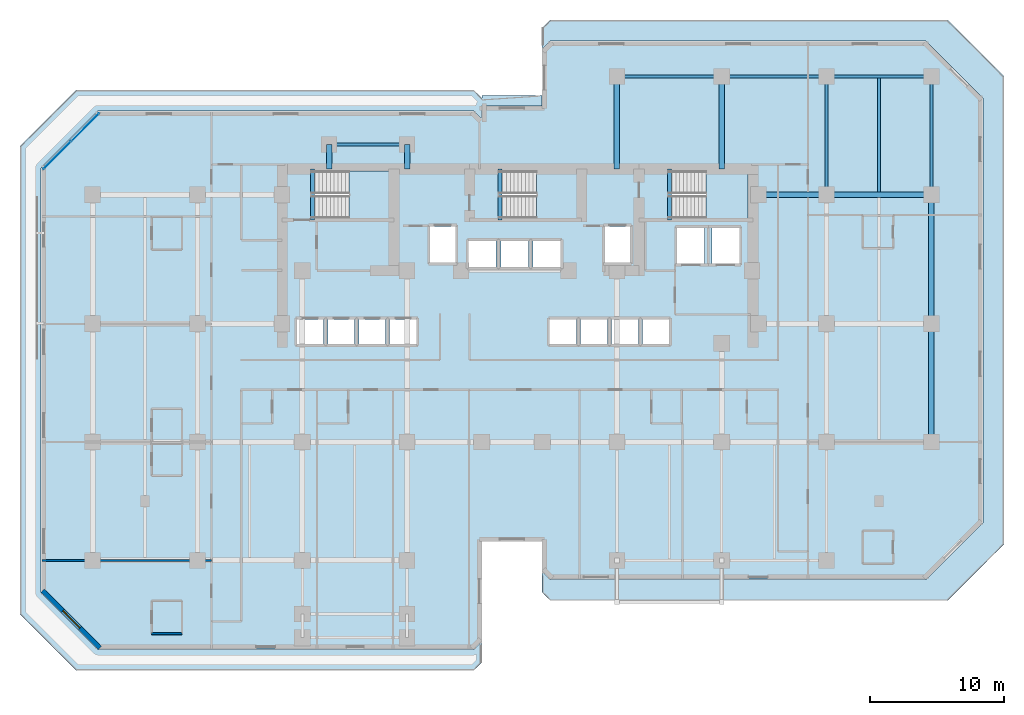
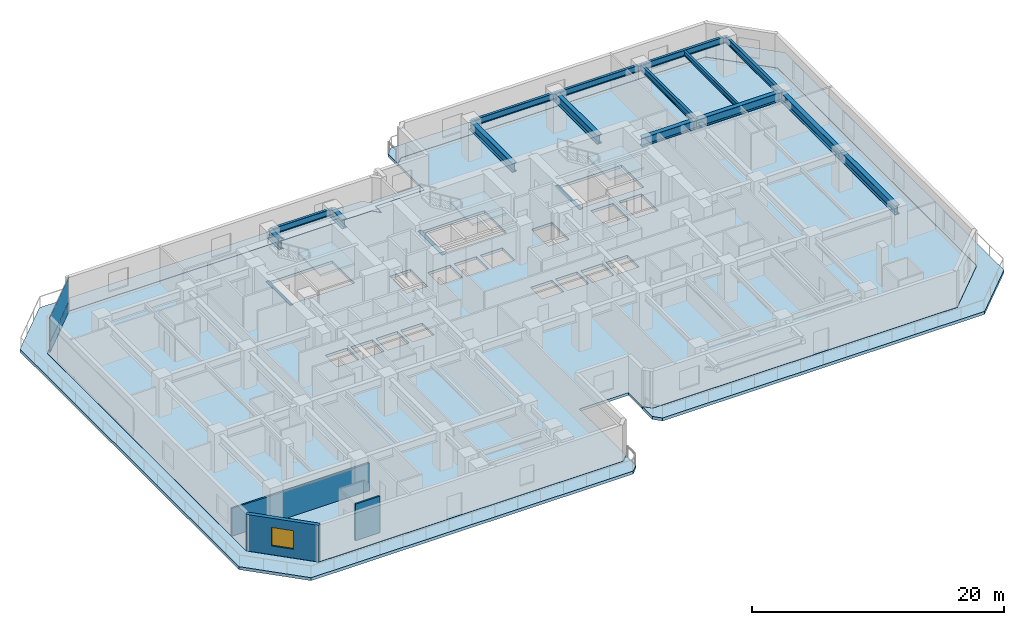
# One storey, part 5 of 12: 18 beams, 6 slabs, 4 plates, 3 walls, 1 window, 1 opening, 4 elements without a shape of their own.
"""IFC4 building model written with IfcOpenShell, lengths in metres."""

import ifcopenshell
import ifcopenshell.guid

model = None  # the IFC model being written
_history = None  # IfcOwnerHistory: only IFC2X3 demands one
_inside = {}  # id of a spatial element -> (the spatial element, [elements in it])
_under = {}  # id of a project, library or spatial element -> (it, [spatial elements below it])
_declared = {}  # id of a project -> (the project, [libraries it declares])
_typed = {}  # id of a type object -> (the type object, [elements of that type])
_made_of = {}  # id of a material, layer set ... -> (it, [elements and type objects made of it])


def new_model(schema):
    """Start an empty IFC model of exactly this schema.

    Asked for "IFC4X3", IfcOpenShell would pick the latest addendum, in which some entities
    have other attributes; the version numbers below select the first issue.
    IFC2X3 requires an IfcOwnerHistory on every rooted entity: one is made here for all.
    """
    global model, _history
    if schema == "IFC4X3":
        model = ifcopenshell.file(schema_version=(4, 3, 0, 0))
    else:
        model = ifcopenshell.file(schema=schema)
    _inside.clear()
    _under.clear()
    _declared.clear()
    _typed.clear()
    _made_of.clear()
    _history = None
    if model.schema == "IFC2X3":
        org = make("IfcOrganization", Name="unknown")
        user = make(
            "IfcPersonAndOrganization",
            ThePerson=make("IfcPerson", FamilyName="unknown"),
            TheOrganization=org,
        )
        app = make(
            "IfcApplication",
            ApplicationDeveloper=org,
            Version="unknown",
            ApplicationFullName="unknown",
            ApplicationIdentifier="unknown",
        )
        _history = make(
            "IfcOwnerHistory",
            OwningUser=user,
            OwningApplication=app,
            ChangeAction="ADDED",
            CreationDate=0,
        )
    return model


def make(cls, **values):
    """One entity of the class cls with the attributes given. An attribute that is None is left unset."""
    return model.create_entity(
        cls, **{name: value for name, value in values.items() if value is not None}
    )


def rooted(cls, **values):
    """An entity with a GlobalId (a new one), such as an element, a storey or a relation."""
    return make(cls, GlobalId=ifcopenshell.guid.new(), OwnerHistory=_history, **values)


def si_unit(unit_type, name, prefix=None):
    """IfcSIUnit, for example si_unit("LENGTHUNIT", "METRE", prefix="MILLI")."""
    return make("IfcSIUnit", UnitType=unit_type, Prefix=prefix, Name=name)


def assignment(units):
    """IfcUnitAssignment: the units of a project."""
    return None if units is None else make("IfcUnitAssignment", Units=units)


def point(xyz):
    """IfcCartesianPoint."""
    return None if xyz is None else make("IfcCartesianPoint", Coordinates=xyz)


def direction(xyz):
    """IfcDirection."""
    return None if xyz is None else make("IfcDirection", DirectionRatios=xyz)


def frame(location, z_axis=None, x_axis=None):
    """IfcAxis2Placement3D, a coordinate frame: its origin and axes. An axis left out is left unset."""
    return make(
        "IfcAxis2Placement3D",
        Location=point(location),
        Axis=direction(z_axis),
        RefDirection=direction(x_axis),
    )


def frame_2d(location, x_axis=None):
    """IfcAxis2Placement2D, a coordinate frame in the plane: its origin and x axis."""
    return make(
        "IfcAxis2Placement2D", Location=point(location), RefDirection=direction(x_axis)
    )


def origin():
    """The frame at (0, 0, 0) with its axes left unset."""
    return frame((0.0, 0.0, 0.0))


def origin_2d():
    """The frame at (0, 0) in the plane with its x axis left unset."""
    return frame_2d((0.0, 0.0))


def place(relative_to, where):
    """IfcLocalPlacement: puts the frame where relative to a parent placement (None: the world)."""
    return make(
        "IfcLocalPlacement", PlacementRelTo=relative_to, RelativePlacement=where
    )


def context(
    kind, dimensions, precision=None, world=None, true_north=None, identifier=None
):
    """IfcGeometricRepresentationContext, for example the 3D "Model" context."""
    return make(
        "IfcGeometricRepresentationContext",
        ContextIdentifier=identifier,
        ContextType=kind,
        CoordinateSpaceDimension=dimensions,
        Precision=precision,
        WorldCoordinateSystem=world,
        TrueNorth=true_north,
    )


def subcontext(parent, identifier, kind, view, scale=None):
    """IfcGeometricRepresentationSubContext, for example "Body" below "Model"."""
    return make(
        "IfcGeometricRepresentationSubContext",
        ContextIdentifier=identifier,
        ContextType=kind,
        ParentContext=parent,
        TargetScale=scale,
        TargetView=view,
    )


def project(units=None, contexts=None):
    """IfcProject with its units and contexts."""
    return rooted(
        "IfcProject",
        Name="project",
        RepresentationContexts=contexts,
        UnitsInContext=assignment(units),
    )


def spatial(cls, under=None, at=None, **own):
    """A site, building, storey or space (cls), placed at a placement, below another one or the project."""
    s = rooted(cls, ObjectPlacement=at, **own)
    if under is not None:
        _under.setdefault(under.id(), (under, []))[1].append(s)
    return s


def polyline(points):
    """IfcPolyline through the points."""
    return make("IfcPolyline", Points=[point(p) for p in points])


def profile(cls, at=None, kind="AREA", **sizes):
    """A parametric profile (cls). Its sizes go by their IFC names, for example OverallWidth=200.0."""
    return make(cls, ProfileType=kind, Position=at, **sizes)


def rectangle(**sizes):
    """IfcRectangleProfileDef."""
    return profile("IfcRectangleProfileDef", **sizes)


def i_section(**sizes):
    """IfcIShapeProfileDef."""
    return profile("IfcIShapeProfileDef", **sizes)


def outline(outer, holes=None, kind="AREA"):
    """IfcArbitraryClosedProfileDef: a profile drawn as a closed curve; with holes, ...WithVoids."""
    if holes is None:
        return make("IfcArbitraryClosedProfileDef", ProfileType=kind, OuterCurve=outer)
    return make(
        "IfcArbitraryProfileDefWithVoids",
        ProfileType=kind,
        OuterCurve=outer,
        InnerCurves=holes,
    )


def extrude(swept, where, along, depth):
    """IfcExtrudedAreaSolid: the profile swept, set in the frame where, extruded along a direction by depth."""
    return make(
        "IfcExtrudedAreaSolid",
        SweptArea=swept,
        Position=where,
        ExtrudedDirection=direction(along),
        Depth=depth,
    )


def shape(context_of_items, identifier, shape_type, items):
    """IfcShapeRepresentation: the items that make up one representation, for example the "Body"."""
    return make(
        "IfcShapeRepresentation",
        ContextOfItems=context_of_items,
        RepresentationIdentifier=identifier,
        RepresentationType=shape_type,
        Items=items,
    )


def material(Name=None, Category=None):
    """IfcMaterial."""
    return make("IfcMaterial", Name=Name, Category=Category)


def layer(
    of_material, thickness, ventilated=None, Name=None, Category=None, Priority=None
):
    """IfcMaterialLayer: one layer of a wall or slab, of a material (None: an air gap)."""
    return make(
        "IfcMaterialLayer",
        Material=of_material,
        LayerThickness=thickness,
        IsVentilated=ventilated,
        Name=Name,
        Category=Category,
        Priority=Priority,
    )


def layer_set(layers, Name=None):
    """IfcMaterialLayerSet."""
    return make("IfcMaterialLayerSet", MaterialLayers=layers, LayerSetName=Name)


def material_profile(
    of_material, cross_section, Name=None, Category=None, Priority=None
):
    """IfcMaterialProfile: a cross section and its material."""
    return make(
        "IfcMaterialProfile",
        Name=Name,
        Material=of_material,
        Profile=cross_section,
        Priority=Priority,
        Category=Category,
    )


def profile_set(profiles, Name=None, composite=None):
    """IfcMaterialProfileSet."""
    return make(
        "IfcMaterialProfileSet",
        Name=Name,
        MaterialProfiles=profiles,
        CompositeProfile=composite,
    )


def made_of(thing, what):
    """Note that an element or type object is made of a material, layer set ...; save() writes the relation."""
    if what is not None:
        _made_of.setdefault(what.id(), (what, []))[1].append(thing)
    return thing


def type_object(cls, material=None, **own):
    """A type object (cls), such as IfcWallType, which elements share."""
    return made_of(rooted(cls, **own), material)


def element(
    cls,
    number,
    at=None,
    inside=None,
    cuts=None,
    type_object=None,
    material=None,
    context=None,
    identifier="Body",
    shape_type=None,
    held_by="IfcProductDefinitionShape",
    body=None,
    shapes=None,
    **own,
):
    """One element of the class cls, such as IfcWall. Its Tag is "e" and its number.

    at: its placement. inside: the storey or other place that contains it. cuts: it is an
    opening in that element (IfcRelVoidsElement). A single representation is given by context,
    identifier, shape_type and body (its items); several are given by shapes. held_by: the class
    of the entity that holds the representations. save() writes the other relations.
    """
    e = rooted(cls, Tag="e%d" % number, ObjectPlacement=at, **own)
    if body is not None:
        shapes = [shape(context, identifier, shape_type, body)]
    if shapes is not None:
        e.Representation = make(held_by, Representations=shapes)
    if inside is not None:
        _inside.setdefault(inside.id(), (inside, []))[1].append(e)
    if cuts is not None:
        rooted(
            "IfcRelVoidsElement", RelatingBuildingElement=cuts, RelatedOpeningElement=e
        )
    if type_object is not None:
        _typed.setdefault(type_object.id(), (type_object, []))[1].append(e)
    return made_of(e, material)


def fill(opening, filler):
    """IfcRelFillsElement: the door or window that sits in an opening."""
    return rooted(
        "IfcRelFillsElement",
        RelatingOpeningElement=opening,
        RelatedBuildingElement=filler,
    )


def aggregate(whole, parts):
    """IfcRelAggregates: a whole, such as a stair, and the parts it consists of."""
    return rooted("IfcRelAggregates", RelatingObject=whole, RelatedObjects=parts)


def save(model, path):
    """Write the relations noted so far, then the file.

    IfcRelAggregates (storeys below a building ...), IfcRelContainedInSpatialStructure (elements
    in a storey), IfcRelDefinesByType, IfcRelAssociatesMaterial and IfcRelDeclares: one each for
    every whole, place, type object, material and project.
    """
    for whole, parts in _under.values():
        aggregate(whole, parts)
    for where, things in _inside.values():
        rooted(
            "IfcRelContainedInSpatialStructure",
            RelatedElements=things,
            RelatingStructure=where,
        )
    for kind, things in _typed.values():
        rooted("IfcRelDefinesByType", RelatedObjects=things, RelatingType=kind)
    for what, things in _made_of.values():
        rooted("IfcRelAssociatesMaterial", RelatedObjects=things, RelatingMaterial=what)
    for by, libraries in _declared.values():
        rooted("IfcRelDeclares", RelatingContext=by, RelatedDefinitions=libraries)
    model.write(path)


model = new_model("IFC4")

# Units and contexts
model_context = context("Model", 3, precision=1e-05, world=origin(), true_north=direction((0.0, 1.0)))
body_context = subcontext(model_context, "Body", "Model", "MODEL_VIEW")
ifc_project = project(units=[si_unit("LENGTHUNIT", "METRE"), si_unit("AREAUNIT", "SQUARE_METRE"), si_unit("VOLUMEUNIT", "CUBIC_METRE"), si_unit("PLANEANGLEUNIT", "RADIAN"), si_unit("MASSUNIT", "GRAM", prefix="KILO")], contexts=[model_context])

# Site, building, storey
site_placement = place(None, origin())
site = spatial("IfcSite", under=ifc_project, at=site_placement, CompositionType="ELEMENT")
building_placement = place(site_placement, origin())
building = spatial("IfcBuilding", under=site, at=building_placement, Name="Kestravale Grand Hotel", CompositionType="ELEMENT")
storey_placement = place(building_placement, frame((0.0, 0.0, 80.39990234375)))
storey = spatial("IfcBuildingStorey", under=building, at=storey_placement, Name="L19", CompositionType="ELEMENT", Elevation=80.39990234375)

# Beams
ifc_material_1 = material(Name="Steel ASTM A992 Grade 50", Category="steel")
ifc_material_profile_1 = material_profile(ifc_material_1, i_section(OverallWidth=0.19091796875, OverallDepth=0.45703125, WebThickness=0.009033203125, FlangeThickness=0.014404296875, FilletRadius=0.015380859375, at=origin_2d()))
ifc_profile_set_1 = profile_set([ifc_material_profile_1], Name="Steel ASTM A992 Grade 50")
beam_type_1 = type_object("IfcBeamType", Name="B-FLR-JST18", PredefinedType="JOIST", material=ifc_profile_set_1)
beam_1_placement = place(storey_placement, frame((66.300048828125, 38.6005859375, 3.3115234375), z_axis=(0.0, 1.0, 0.0), x_axis=(-1.0, 0.0, 0.0)))
element("IfcBeam", 1, at=beam_1_placement, inside=storey, type_object=beam_type_1, Name="L19 floor joist 10-11/F-G #1", PredefinedType="JOIST", context=body_context, shape_type="SweptSolid", body=[
    extrude(i_section(OverallWidth=0.19091796875, OverallDepth=0.45703125, WebThickness=0.009033203125, FlangeThickness=0.014404296875, FilletRadius=0.015380859375, at=origin_2d()), origin(), (0.0, 0.0, 1.0), 8.48486328125),
])
ifc_material_2 = material(Name="Concrete f'c 45 MPa", Category="concrete")
ifc_material_profile_2 = material_profile(ifc_material_2, rectangle(XDim=0.300048828125, YDim=0.39990234375, at=origin_2d()))
ifc_profile_set_2 = profile_set([ifc_material_profile_2], Name="Concrete f'c 45 MPa")
beam_type_2 = type_object("IfcBeamType", Name="B-FLR-LNT400", PredefinedType="LINTEL", material=ifc_profile_set_2)
for number, where, z_axis, x_axis, name in (
    (2, (24.159912109375, 36.52001953125, -0.199951171875), (0.0, 1.0, 0.0), (-1.0, 0.0, 0.0), "L19 ST1 flight bottom header beam"),
    (3, (38.110107421875, 36.52001953125, -0.199951171875), (0.0, 1.0, 0.0), (-1.0, 0.0, 0.0), "L19 ST2 flight bottom header beam"),
    (4, (50.7099609375, 36.52001953125, -0.199951171875), (0.0, 1.0, 0.0), (-1.0, 0.0, 0.0), "L19 ST3 flight bottom header beam"),
):
    element("IfcBeam", number, at=place(storey_placement, frame(where, z_axis=z_axis, x_axis=x_axis)), inside=storey, type_object=beam_type_2, Name=name, PredefinedType="LINTEL", context=body_context, shape_type="SweptSolid", body=[
        extrude(rectangle(XDim=0.300048828125, YDim=0.39990234375, at=origin_2d()), origin(), (0.0, 0.0, 1.0), 3.800048828125),
    ])
ifc_material_3 = material(Name="Steel ASTM A992 Grade 50", Category="steel")
ifc_material_profile_3 = material_profile(ifc_material_3, i_section(OverallWidth=0.22900390625, OverallDepth=0.612060546875, WebThickness=0.011962890625, FlangeThickness=0.01953125, FilletRadius=0.019287109375, at=origin_2d()))
ifc_profile_set_3 = profile_set([ifc_material_profile_3], Name="Steel ASTM A992 Grade 50")
beam_type_3 = type_object("IfcBeamType", Name="B-FLR-W24B", PredefinedType="SPANDREL", material=ifc_profile_set_3)
beam_2_placement = place(storey_placement, frame((46.800048828125, 47.199951171875, 3.234130859375), z_axis=(1.0, 0.0, 0.0), x_axis=(0.0, 1.0, 0.0)))
element("IfcBeam", 5, at=beam_2_placement, inside=storey, type_object=beam_type_3, Name="L19 spandrel G:8-9", PredefinedType="SPANDREL", context=body_context, shape_type="SweptSolid", body=[
    extrude(i_section(OverallWidth=0.22900390625, OverallDepth=0.612060546875, WebThickness=0.011962890625, FlangeThickness=0.01953125, FilletRadius=0.019287109375, at=origin_2d()), origin(), (0.0, 0.0, 1.0), 7.800048828125),
])
beam_3_placement = place(storey_placement, frame((54.60009765625, 47.199951171875, 3.234130859375), z_axis=(1.0, 0.0, 0.0), x_axis=(0.0, 1.0, 0.0)))
element("IfcBeam", 6, at=beam_3_placement, inside=storey, type_object=beam_type_3, Name="L19 spandrel G:9-10", PredefinedType="SPANDREL", context=body_context, shape_type="SweptSolid", body=[
    extrude(i_section(OverallWidth=0.22900390625, OverallDepth=0.612060546875, WebThickness=0.011962890625, FlangeThickness=0.01953125, FilletRadius=0.019287109375, at=origin_2d()), origin(), (0.0, 0.0, 1.0), 7.7998046875),
])
beam_4_placement = place(storey_placement, frame((62.39990234375, 47.199951171875, 3.234130859375), z_axis=(1.0, 0.0, 0.0), x_axis=(0.0, 1.0, 0.0)))
element("IfcBeam", 7, at=beam_4_placement, inside=storey, type_object=beam_type_3, Name="L19 spandrel G:10-11", PredefinedType="SPANDREL", context=body_context, shape_type="SweptSolid", body=[
    extrude(i_section(OverallWidth=0.22900390625, OverallDepth=0.612060546875, WebThickness=0.011962890625, FlangeThickness=0.01953125, FilletRadius=0.019287109375, at=origin_2d()), origin(), (0.0, 0.0, 1.0), 7.800048828125),
])
beam_5_placement = place(storey_placement, frame((25.39990234375, 42.14990234375, 3.234130859375), z_axis=(1.0, 0.0, 0.0), x_axis=(0.0, 1.0, 0.0)))
element("IfcBeam", 8, at=beam_5_placement, inside=storey, type_object=beam_type_3, Name="L19 perimeter tie spandrel FN:4-5", PredefinedType="SPANDREL", context=body_context, shape_type="SweptSolid", body=[
    extrude(i_section(OverallWidth=0.22900390625, OverallDepth=0.612060546875, WebThickness=0.011962890625, FlangeThickness=0.01953125, FilletRadius=0.019287109375, at=origin_2d()), origin(), (0.0, 0.0, 1.0), 5.800048828125),
])
for number, where, z_axis, x_axis, name in (
    (9, (62.39990234375, 38.39990234375, 3.234130859375), (0.0, 1.0, 0.0), (-1.0, 0.0, 0.0), "L19 spandrel 10:F-G"),
    (10, (70.199951171875, 38.39990234375, 3.234130859375), (0.0, 1.0, 0.0), (-1.0, 0.0, 0.0), "L19 spandrel 11:F-G"),
):
    element("IfcBeam", number, at=place(storey_placement, frame(where, z_axis=z_axis, x_axis=x_axis)), inside=storey, type_object=beam_type_3, Name=name, PredefinedType="SPANDREL", context=body_context, shape_type="SweptSolid", body=[
        extrude(i_section(OverallWidth=0.22900390625, OverallDepth=0.612060546875, WebThickness=0.011962890625, FlangeThickness=0.01953125, FilletRadius=0.019287109375, at=origin_2d()), origin(), (0.0, 0.0, 1.0), 8.800048828125),
    ])
ifc_material_4 = material(Name="Steel ASTM A992 Grade 50", Category="steel")
ifc_material_profile_4 = material_profile(ifc_material_4, i_section(OverallWidth=0.40087890625, OverallDepth=0.861083984375, WebThickness=0.019775390625, FlangeThickness=0.032470703125, FilletRadius=0.0234375, at=origin_2d()))
ifc_profile_set_4 = profile_set([ifc_material_profile_4], Name="Steel ASTM A992 Grade 50")
beam_type_4 = type_object("IfcBeamType", Name="B-GRD-W33", PredefinedType="BEAM", material=ifc_profile_set_4)
beam_6_placement = place(storey_placement, frame((57.35009765625, 38.39990234375, 3.109619140625), z_axis=(1.0, 0.0, 0.0), x_axis=(0.0, 1.0, 0.0)))
element("IfcBeam", 11, at=beam_6_placement, inside=storey, type_object=beam_type_4, Name="L19 girder F:CE-10", PredefinedType="BEAM", context=body_context, shape_type="SweptSolid", body=[
    extrude(i_section(OverallWidth=0.40087890625, OverallDepth=0.861083984375, WebThickness=0.019775390625, FlangeThickness=0.032470703125, FilletRadius=0.0234375, at=origin_2d()), origin(), (0.0, 0.0, 1.0), 5.0498046875),
])
beam_7_placement = place(storey_placement, frame((62.39990234375, 38.39990234375, 3.109619140625), z_axis=(1.0, 0.0, 0.0), x_axis=(0.0, 1.0, 0.0)))
element("IfcBeam", 12, at=beam_7_placement, inside=storey, type_object=beam_type_4, Name="L19 girder F:10-11", PredefinedType="BEAM", context=body_context, shape_type="SweptSolid", body=[
    extrude(i_section(OverallWidth=0.40087890625, OverallDepth=0.861083984375, WebThickness=0.019775390625, FlangeThickness=0.032470703125, FilletRadius=0.0234375, at=origin_2d()), origin(), (0.0, 0.0, 1.0), 7.800048828125),
])
beam_8_placement = place(storey_placement, frame((70.199951171875, 20.0, 3.109619140625), z_axis=(0.0, 1.0, 0.0), x_axis=(-1.0, 0.0, 0.0)))
element("IfcBeam", 13, at=beam_8_placement, inside=storey, type_object=beam_type_4, Name="L19 girder 11:D-E", PredefinedType="BEAM", context=body_context, shape_type="SweptSolid", body=[
    extrude(i_section(OverallWidth=0.40087890625, OverallDepth=0.861083984375, WebThickness=0.019775390625, FlangeThickness=0.032470703125, FilletRadius=0.0234375, at=origin_2d()), origin(), (0.0, 0.0, 1.0), 8.800048828125),
])
beam_9_placement = place(storey_placement, frame((70.199951171875, 28.800048828125, 3.109619140625), z_axis=(0.0, 1.0, 0.0), x_axis=(-1.0, 0.0, 0.0)))
element("IfcBeam", 14, at=beam_9_placement, inside=storey, type_object=beam_type_4, Name="L19 girder 11:E-F", PredefinedType="BEAM", context=body_context, shape_type="SweptSolid", body=[
    extrude(i_section(OverallWidth=0.40087890625, OverallDepth=0.861083984375, WebThickness=0.019775390625, FlangeThickness=0.032470703125, FilletRadius=0.0234375, at=origin_2d()), origin(), (0.0, 0.0, 1.0), 9.599853515625),
])
for number, where, z_axis, x_axis, name in (
    (15, (25.39990234375, 40.320068359375, 3.109619140625), (0.0, 1.0, 0.0), (-1.0, 0.0, 0.0), "L19 north wing tie girder 4:CN-FN"),
    (16, (31.199951171875, 40.320068359375, 3.109619140625), (0.0, 1.0, 0.0), (-1.0, 0.0, 0.0), "L19 north wing tie girder 5:CN-FN"),
):
    element("IfcBeam", number, at=place(storey_placement, frame(where, z_axis=z_axis, x_axis=x_axis)), inside=storey, type_object=beam_type_4, Name=name, PredefinedType="BEAM", context=body_context, shape_type="SweptSolid", body=[
        extrude(i_section(OverallWidth=0.40087890625, OverallDepth=0.861083984375, WebThickness=0.019775390625, FlangeThickness=0.032470703125, FilletRadius=0.0234375, at=origin_2d()), origin(), (0.0, 0.0, 1.0), 1.829833984375),
    ])
for number, where, z_axis, x_axis, name in (
    (17, (46.800048828125, 40.320068359375, 3.109619140625), (0.0, 1.0, 0.0), (-1.0, 0.0, 0.0), "L19 north wing tie girder 8:CN-G"),
    (18, (54.60009765625, 40.320068359375, 3.109619140625), (0.0, 1.0, 0.0), (-1.0, 0.0, 0.0), "L19 north wing tie girder 9:CN-G"),
):
    element("IfcBeam", number, at=place(storey_placement, frame(where, z_axis=z_axis, x_axis=x_axis)), inside=storey, type_object=beam_type_4, Name=name, PredefinedType="BEAM", context=body_context, shape_type="SweptSolid", body=[
        extrude(i_section(OverallWidth=0.40087890625, OverallDepth=0.861083984375, WebThickness=0.019775390625, FlangeThickness=0.032470703125, FilletRadius=0.0234375, at=origin_2d()), origin(), (0.0, 0.0, 1.0), 6.8798828125),
    ])

# Curtain wall, plates
ifc_material_5 = material(Name="Thermally broken champagne-bronze aluminium and low-E glazing", Category="aluminium")
ifc_layer_1 = layer(ifc_material_5, 0.199951171875)
ifc_layer_set_1 = layer_set([ifc_layer_1], Name="CW-Z2")
curtain_wall_type = type_object("IfcCurtainWallType", Name="CW-Z2", PredefinedType="NOTDEFINED", material=ifc_layer_set_1)
curtain_wall_placement = place(storey_placement, origin())
curtain_wall = element("IfcCurtainWall", 19, at=curtain_wall_placement, inside=storey, type_object=curtain_wall_type, Name="L19 unitised curtain wall 18", PredefinedType="NOTDEFINED")
ifc_material_6 = material(Name="Insulated clear low-E double glazing IGU", Category="glass")
ifc_layer_2 = layer(ifc_material_6, 0.031982421875)
ifc_layer_set_2 = layer_set([ifc_layer_2], Name="CW-PNL-32")
plate_type = type_object("IfcPlateType", Name="CW-PNL-32", PredefinedType="CURTAIN_PANEL", material=ifc_layer_set_2)
plate_1_placement = place(storey_placement, frame((7.26416015625, 43.423583984375, 0.06494140625), z_axis=(0.0, 0.0, 1.0), x_axis=(-0.707106781187, -0.707106781187, 0.0)))
plate_1 = element("IfcPlate", 20, at=plate_1_placement, type_object=plate_type, Name="CW-Z2 panel 1.1", PredefinedType="CURTAIN_PANEL", context=body_context, shape_type="SweptSolid", body=[
    extrude(rectangle(XDim=2.87744140625, YDim=0.031982421875, at=origin_2d()), origin(), (0.0, 0.0, 1.0), 0.952392578125),
])
plate_2_placement = place(storey_placement, frame((7.26416015625, 43.423583984375, 1.08251953125), z_axis=(0.0, 0.0, 1.0), x_axis=(-0.707106781187, -0.707106781187, 0.0)))
plate_2 = element("IfcPlate", 21, at=plate_2_placement, type_object=plate_type, Name="CW-Z2 panel 1.2", PredefinedType="CURTAIN_PANEL", context=body_context, shape_type="SweptSolid", body=[
    extrude(rectangle(XDim=2.87744140625, YDim=0.031982421875, at=origin_2d()), origin(), (0.0, 0.0, 1.0), 2.392578125),
])
plate_3_placement = place(storey_placement, frame((5.17626953125, 41.3359375, 0.06494140625), z_axis=(0.0, 0.0, 1.0), x_axis=(-0.707106781187, -0.707106781187, 0.0)))
plate_3 = element("IfcPlate", 22, at=plate_3_placement, type_object=plate_type, Name="CW-Z2 panel 2.1", PredefinedType="CURTAIN_PANEL", context=body_context, shape_type="SweptSolid", body=[
    extrude(rectangle(XDim=2.87744140625, YDim=0.031982421875, at=origin_2d()), origin(), (0.0, 0.0, 1.0), 0.952392578125),
])
plate_4_placement = place(storey_placement, frame((5.17626953125, 41.3359375, 1.08251953125), z_axis=(0.0, 0.0, 1.0), x_axis=(-0.707106781187, -0.707106781187, 0.0)))
plate_4 = element("IfcPlate", 23, at=plate_4_placement, type_object=plate_type, Name="CW-Z2 panel 2.2", PredefinedType="CURTAIN_PANEL", context=body_context, shape_type="SweptSolid", body=[
    extrude(rectangle(XDim=2.87744140625, YDim=0.031982421875, at=origin_2d()), origin(), (0.0, 0.0, 1.0), 2.392578125),
])
aggregate(curtain_wall, [plate_1, plate_2, plate_3, plate_4])

# Slabs
ifc_material_7 = material(Name="Concrete f'c 45 MPa", Category="concrete")
ifc_layer_3 = layer(ifc_material_7, 0.2900390625)
ifc_layer_set_3 = layer_set([ifc_layer_3], Name="ES-TERR-290")
slab_type_1 = type_object("IfcSlabType", Name="ES-TERR-290", PredefinedType="ROOF", material=ifc_layer_set_3)
slab_1_placement = place(storey_placement, frame((0.0, 0.0, -0.289794921875)))
element("IfcSlab", 24, at=slab_1_placement, inside=storey, type_object=slab_type_1, Name="L19 setback terrace 1", PredefinedType="ROOF", context=body_context, shape_type="SweptSolid", body=[
    extrude(outline(polyline([(36.75, 3.60009765625), (36.14990234375, 3.0), (6.60009765625, 3.0), (2.39990234375, 7.199951171875), (2.39990234375, 42.0), (6.60009765625, 46.199951171875), (36.14990234375, 46.199951171875), (36.75, 45.60009765625), (36.75, 45.800048828125), (41.22998046875, 45.800048828125), (41.22998046875, 45.02001953125), (36.75, 45.02001953125), (36.748046875, 45.02001953125), (36.74609375, 45.01953125), (36.744140625, 45.01904296875), (36.7421875, 45.0185546875), (36.740478515625, 45.017578125), (36.739013671875, 45.0166015625), (36.7373046875, 45.015380859375), (36.73583984375, 45.01416015625), (36.734619140625, 45.0126953125), (36.7333984375, 45.010986328125), (36.732421875, 45.009521484375), (36.7314453125, 45.0078125), (36.73095703125, 45.005859375), (36.73046875, 45.00390625), (36.72998046875, 45.001953125), (36.72998046875, 45.0), (36.72998046875, 44.04833984375), (36.1640625, 44.614013671875), (36.16259765625, 44.615478515625), (36.1611328125, 44.61669921875), (36.159423828125, 44.61767578125), (36.15771484375, 44.618408203125), (36.15576171875, 44.619140625), (36.15380859375, 44.61962890625), (36.152099609375, 44.619873046875), (36.14990234375, 44.6201171875), (8.199951171875, 44.6201171875), (8.197998046875, 44.619873046875), (8.196044921875, 44.61962890625), (8.194091796875, 44.619140625), (8.1923828125, 44.618408203125), (8.190673828125, 44.61767578125), (8.18896484375, 44.61669921875), (8.187255859375, 44.615478515625), (8.185791015625, 44.614013671875), (3.98583984375, 40.4140625), (3.984619140625, 40.41259765625), (3.9833984375, 40.4111328125), (3.982421875, 40.409423828125), (3.9814453125, 40.40771484375), (3.98095703125, 40.40576171875), (3.98046875, 40.40380859375), (3.97998046875, 40.402099609375), (3.97998046875, 40.39990234375), (3.97998046875, 8.800048828125), (3.97998046875, 8.798095703125), (3.98046875, 8.796142578125), (3.98095703125, 8.794189453125), (3.9814453125, 8.792236328125), (3.982421875, 8.79052734375), (3.9833984375, 8.788818359375), (3.984619140625, 8.787353515625), (3.98583984375, 8.785888671875), (8.185791015625, 4.5859375), (8.187255859375, 4.58447265625), (8.18896484375, 4.58349609375), (8.190673828125, 4.58251953125), (8.1923828125, 4.58154296875), (8.194091796875, 4.580810546875), (8.196044921875, 4.580322265625), (8.197998046875, 4.580078125), (8.199951171875, 4.580078125), (36.14990234375, 4.580078125), (36.152099609375, 4.580078125), (36.15380859375, 4.580322265625), (36.15576171875, 4.580810546875), (36.15771484375, 4.58154296875), (36.159423828125, 4.58251953125), (36.1611328125, 4.58349609375), (36.16259765625, 4.58447265625), (36.1640625, 4.5859375), (36.75, 5.171630859375), (36.75, 3.60009765625)])), origin(), (0.0, 0.0, 1.0), 0.289794921875),
])
slab_2_placement = place(storey_placement, frame((0.0, 0.0, -0.289794921875)))
element("IfcSlab", 25, at=slab_2_placement, inside=storey, type_object=slab_type_1, Name="L19 setback terrace 2", PredefinedType="ROOF", context=body_context, shape_type="SweptSolid", body=[
    extrude(outline(polyline([(41.25, 50.800048828125), (41.85009765625, 51.39990234375), (71.39990234375, 51.39990234375), (75.60009765625, 47.199951171875), (75.60009765625, 12.39990234375), (71.39990234375, 8.199951171875), (41.85009765625, 8.199951171875), (41.25, 8.800048828125), (41.25, 10.37158203125), (41.8359375, 9.785888671875), (41.83740234375, 9.784423828125), (41.8388671875, 9.783447265625), (41.840576171875, 9.782470703125), (41.84228515625, 9.781494140625), (41.84423828125, 9.781005859375), (41.84619140625, 9.780517578125), (41.847900390625, 9.780029296875), (41.85009765625, 9.780029296875), (69.800048828125, 9.780029296875), (69.802001953125, 9.780029296875), (69.803955078125, 9.780517578125), (69.805908203125, 9.781005859375), (69.8076171875, 9.781494140625), (69.809326171875, 9.782470703125), (69.81103515625, 9.783447265625), (69.812744140625, 9.784423828125), (69.814208984375, 9.785888671875), (74.01416015625, 13.98583984375), (74.015380859375, 13.9873046875), (74.0166015625, 13.989013671875), (74.017578125, 13.990478515625), (74.0185546875, 13.9921875), (74.01904296875, 13.994140625), (74.01953125, 13.99609375), (74.02001953125, 13.998046875), (74.02001953125, 14.0), (74.02001953125, 45.60009765625), (74.02001953125, 45.60205078125), (74.01953125, 45.60400390625), (74.01904296875, 45.605712890625), (74.0185546875, 45.607666015625), (74.017578125, 45.609375), (74.0166015625, 45.611083984375), (74.015380859375, 45.61279296875), (74.01416015625, 45.614013671875), (69.814208984375, 49.814208984375), (69.812744140625, 49.8154296875), (69.81103515625, 49.816650390625), (69.809326171875, 49.817626953125), (69.8076171875, 49.818603515625), (69.805908203125, 49.819091796875), (69.803955078125, 49.819580078125), (69.802001953125, 49.81982421875), (69.800048828125, 49.820068359375), (41.85009765625, 49.820068359375), (41.847900390625, 49.81982421875), (41.84619140625, 49.819580078125), (41.84423828125, 49.819091796875), (41.84228515625, 49.818603515625), (41.840576171875, 49.817626953125), (41.8388671875, 49.816650390625), (41.83740234375, 49.8154296875), (41.8359375, 49.814208984375), (41.25, 49.228271484375), (41.25, 50.800048828125)])), origin(), (0.0, 0.0, 1.0), 0.289794921875),
])

# Stair, slab
ifc_material_8 = material(Name="Concrete f'c 45 MPa", Category="concrete")
stair_type = type_object("IfcStairType", Name="ST-CORE-380", PredefinedType="HALF_TURN_STAIR", material=ifc_material_8)
stair_1_placement = place(storey_placement, origin())
stair_1 = element("IfcStair", 26, at=stair_1_placement, inside=storey, type_object=stair_type, Name="L19 ST-1", PredefinedType="HALF_TURN_STAIR")
ifc_material_9 = material(Name="Concrete f'c 45 MPa", Category="concrete")
ifc_layer_4 = layer(ifc_material_9, 0.199951171875)
ifc_layer_set_4 = layer_set([ifc_layer_4], Name="SLB-ST-LND200")
slab_type_2 = type_object("IfcSlabType", Name="SLB-ST-LND200", PredefinedType="LANDING", material=ifc_layer_set_4)
slab_3_placement = place(storey_placement, frame((0.0, 0.0, 1.7001953125)))
slab_3 = element("IfcSlab", 27, at=slab_3_placement, type_object=slab_type_2, Name="ST-1 landing 1", PredefinedType="LANDING", context=body_context, shape_type="SweptSolid", body=[
    extrude(outline(polyline([(26.8798828125, 36.64990234375), (30.0, 36.64990234375), (30.0, 40.159912109375), (26.8798828125, 40.159912109375), (26.8798828125, 36.64990234375)])), origin(), (0.0, 0.0, 1.0), 0.199951171875),
])
aggregate(stair_1, [slab_3])

stair_2_placement = place(storey_placement, origin())
stair_2 = element("IfcStair", 28, at=stair_2_placement, inside=storey, type_object=stair_type, Name="L19 ST-2", PredefinedType="HALF_TURN_STAIR")
slab_4_placement = place(storey_placement, frame((0.0, 0.0, 1.7001953125)))
slab_4 = element("IfcSlab", 29, at=slab_4_placement, type_object=slab_type_2, Name="ST-2 landing 1", PredefinedType="LANDING", context=body_context, shape_type="SweptSolid", body=[
    extrude(outline(polyline([(40.830078125, 36.64990234375), (43.949951171875, 36.64990234375), (43.949951171875, 40.159912109375), (40.830078125, 40.159912109375), (40.830078125, 36.64990234375)])), origin(), (0.0, 0.0, 1.0), 0.199951171875),
])
aggregate(stair_2, [slab_4])

stair_3_placement = place(storey_placement, origin())
stair_3 = element("IfcStair", 30, at=stair_3_placement, inside=storey, type_object=stair_type, Name="L19 ST-3", PredefinedType="HALF_TURN_STAIR")
slab_5_placement = place(storey_placement, frame((0.0, 0.0, 1.7001953125)))
slab_5 = element("IfcSlab", 31, at=slab_5_placement, type_object=slab_type_2, Name="ST-3 landing 1", PredefinedType="LANDING", context=body_context, shape_type="SweptSolid", body=[
    extrude(outline(polyline([(53.429931640625, 36.64990234375), (56.550048828125, 36.64990234375), (56.550048828125, 40.159912109375), (53.429931640625, 40.159912109375), (53.429931640625, 36.64990234375)])), origin(), (0.0, 0.0, 1.0), 0.199951171875),
])
aggregate(stair_3, [slab_5])

# Slab
ifc_material_10 = material(Name="Concrete f'c 45 MPa", Category="concrete")
ifc_layer_5 = layer(ifc_material_10, 0.260009765625)
ifc_layer_set_5 = layer_set([ifc_layer_5], Name="SS-FLR-260")
slab_type_3 = type_object("IfcSlabType", Name="SS-FLR-260", PredefinedType="FLOOR", material=ifc_layer_set_5)
slab_6_placement = place(storey_placement, frame((0.0, 0.0, -0.260009765625)))
element("IfcSlab", 32, at=slab_6_placement, inside=storey, type_object=slab_type_3, Name="L19 structural floor slab", PredefinedType="FLOOR", context=body_context, shape_type="SweptSolid", body=[
    extrude(outline(polyline([(8.199951171875, 4.60009765625), (36.14990234375, 4.60009765625), (36.75, 5.199951171875), (36.75, 12.60009765625), (41.25, 12.60009765625), (41.25, 10.39990234375), (41.85009765625, 9.800048828125), (69.800048828125, 9.800048828125), (74.0, 14.0), (74.0, 45.60009765625), (69.800048828125, 49.800048828125), (41.85009765625, 49.800048828125), (41.25, 49.199951171875), (41.25, 45.0), (36.75, 45.0), (36.75, 44.0), (36.14990234375, 44.60009765625), (8.199951171875, 44.60009765625), (4.0, 40.39990234375), (4.0, 8.800048828125), (8.199951171875, 4.60009765625)]), holes=[polyline([(24.080078125, 36.64990234375), (30.0, 36.64990234375), (30.0, 40.159912109375), (24.080078125, 40.159912109375), (24.080078125, 36.64990234375)]), polyline([(38.030029296875, 36.64990234375), (43.949951171875, 36.64990234375), (43.949951171875, 40.159912109375), (38.030029296875, 40.159912109375), (38.030029296875, 36.64990234375)]), polyline([(50.6298828125, 36.64990234375), (56.550048828125, 36.64990234375), (56.550048828125, 40.159912109375), (50.6298828125, 40.159912109375), (50.6298828125, 36.64990234375)]), polyline([(23.0048828125, 27.280029296875), (24.9951171875, 27.280029296875), (24.9951171875, 29.1201171875), (23.0048828125, 29.1201171875), (23.0048828125, 27.280029296875)]), polyline([(25.304931640625, 27.280029296875), (27.294921875, 27.280029296875), (27.294921875, 29.1201171875), (25.304931640625, 29.1201171875), (25.304931640625, 27.280029296875)]), polyline([(27.60498046875, 27.280029296875), (29.594970703125, 27.280029296875), (29.594970703125, 29.1201171875), (27.60498046875, 29.1201171875), (27.60498046875, 27.280029296875)]), polyline([(29.905029296875, 27.280029296875), (31.89501953125, 27.280029296875), (31.89501953125, 29.1201171875), (29.905029296875, 29.1201171875), (29.905029296875, 27.280029296875)]), polyline([(41.804931640625, 27.280029296875), (43.794921875, 27.280029296875), (43.794921875, 29.1201171875), (41.804931640625, 29.1201171875), (41.804931640625, 27.280029296875)]), polyline([(44.10498046875, 27.280029296875), (46.094970703125, 27.280029296875), (46.094970703125, 29.1201171875), (44.10498046875, 29.1201171875), (44.10498046875, 27.280029296875)]), polyline([(46.405029296875, 27.280029296875), (48.39501953125, 27.280029296875), (48.39501953125, 29.1201171875), (46.405029296875, 29.1201171875), (46.405029296875, 27.280029296875)]), polyline([(48.705078125, 27.280029296875), (50.695068359375, 27.280029296875), (50.695068359375, 29.1201171875), (48.705078125, 29.1201171875), (48.705078125, 27.280029296875)]), polyline([(35.780029296875, 33.030029296875), (37.820068359375, 33.030029296875), (37.820068359375, 34.969970703125), (35.780029296875, 34.969970703125), (35.780029296875, 33.030029296875)]), polyline([(38.179931640625, 33.030029296875), (40.219970703125, 33.030029296875), (40.219970703125, 34.969970703125), (38.179931640625, 34.969970703125), (38.179931640625, 33.030029296875)]), polyline([(40.580078125, 33.030029296875), (42.6201171875, 33.030029296875), (42.6201171875, 34.969970703125), (40.580078125, 34.969970703125), (40.580078125, 33.030029296875)]), polyline([(32.905029296875, 33.35498046875), (34.794921875, 33.35498046875), (34.794921875, 36.044921875), (32.905029296875, 36.044921875), (32.905029296875, 33.35498046875)]), polyline([(45.905029296875, 33.35498046875), (47.794921875, 33.35498046875), (47.794921875, 36.044921875), (45.905029296875, 36.044921875), (45.905029296875, 33.35498046875)]), polyline([(51.280029296875, 33.280029296875), (53.320068359375, 33.280029296875), (53.320068359375, 35.919921875), (51.280029296875, 35.919921875), (51.280029296875, 33.280029296875)]), polyline([(53.8798828125, 33.280029296875), (55.919921875, 33.280029296875), (55.919921875, 35.919921875), (53.8798828125, 35.919921875), (53.8798828125, 33.280029296875)])]), origin(), (0.0, 0.0, 1.0), 0.260009765625),
])

# Wall, opening, window
ifc_material_11 = material(Name="Precast concrete f'c 45 MPa", Category="concrete")
ifc_layer_6 = layer(ifc_material_11, 0.340087890625)
ifc_layer_set_6 = layer_set([ifc_layer_6], Name="EW-PREC-340")
wall_type_1 = type_object("IfcWallType", Name="EW-PREC-340", PredefinedType="SOLIDWALL", material=ifc_layer_set_6)
wall_1_placement = place(storey_placement, frame((4.091796875, 8.948486328125, 0.0), z_axis=(0.0, 0.0, 1.0), x_axis=(0.707106781187, -0.707106781187, 0.0)))
wall_1 = element("IfcWall", 33, at=wall_1_placement, inside=storey, type_object=wall_type_1, Name="L19 fluted precast facade wall 20", PredefinedType="SOLIDWALL", context=body_context, shape_type="SweptSolid", body=[
    extrude(rectangle(XDim=6.019775390625, YDim=0.340087890625, at=frame_2d((3.009765625, 0.0))), origin(), (0.0, 0.0, 1.0), 3.5400390625),
])
opening_placement = place(wall_1_placement, frame((2.10986328125, 0.0, 0.85009765625)))
opening = element("IfcOpeningElement", 34, at=opening_placement, cuts=wall_1, Name="Opening W-GUEST-1800", PredefinedType="OPENING", context=body_context, shape_type="SweptSolid", body=[
    extrude(rectangle(XDim=1.800048828125, YDim=1.800048828125, at=frame_2d((0.89990234375, 0.89990234375))), frame((0.0, 0.179931640625, 0.0), z_axis=(0.0, -1.0, 0.0), x_axis=(1.0, 0.0, 0.0)), (0.0, 0.0, 1.0), 0.360107421875),
])
ifc_material_12 = material(Name="Insulated low-E double glazing in aluminium frame", Category="aluminium")
window_type = type_object("IfcWindowType", Name="W-GUEST-1800", PartitioningType="DOUBLE_PANEL_VERTICAL", PredefinedType="WINDOW", material=ifc_material_12)
window_placement = place(opening_placement, origin())
window = element("IfcWindow", 35, at=window_placement, inside=storey, type_object=window_type, Name="L19 exterior window 20.1", OverallHeight=1.800048828125, OverallWidth=1.800048828125, PartitioningType="SINGLE_PANEL", PredefinedType="WINDOW", context=body_context, shape_type="SweptSolid", body=[
    extrude(rectangle(XDim=1.800048828125, YDim=1.800048828125, at=frame_2d((0.89990234375, 0.89990234375))), frame((0.0, 0.030029296875, 0.0), z_axis=(0.0, -1.0, 0.0), x_axis=(1.0, 0.0, 0.0)), (0.0, 0.0, 1.0), 0.06005859375),
])
fill(opening, window)

# Walls
ifc_material_13 = material(Name="Moisture-resistant tile-backer plumbing chase wall", Category="other")
ifc_layer_7 = layer(ifc_material_13, 0.139892578125)
ifc_layer_set_7 = layer_set([ifc_layer_7], Name="IW-PLB-140")
wall_type_2 = type_object("IfcWallType", Name="IW-PLB-140", PredefinedType="PLUMBINGWALL", material=ifc_layer_set_7)
wall_2_placement = place(storey_placement, frame((12.199951171875, 5.75, 0.0), z_axis=(0.0, 0.0, 1.0), x_axis=(1.0, 0.0, 0.0)))
element("IfcWall", 36, at=wall_2_placement, inside=storey, type_object=wall_type_2, Name="W-L19-U05-BS", PredefinedType="PLUMBINGWALL", context=body_context, shape_type="SweptSolid", body=[
    extrude(rectangle(XDim=2.25, YDim=0.139892578125, at=frame_2d((1.125, 0.0))), origin(), (0.0, 0.0, 1.0), 3.5400390625),
])
ifc_material_14 = material(Name="Double-stud STC 52 acoustic demising partition", Category="other")
ifc_layer_8 = layer(ifc_material_14, 0.14990234375)
ifc_layer_set_8 = layer_set([ifc_layer_8], Name="IW-UNIT-150")
wall_type_3 = type_object("IfcWallType", Name="IW-UNIT-150", PredefinedType="PARTITIONING", material=ifc_layer_set_8)
wall_3_placement = place(storey_placement, frame((4.02001953125, 11.199951171875, 0.0), z_axis=(0.0, 0.0, 1.0), x_axis=(1.0, 0.0, 0.0)))
element("IfcWall", 37, at=wall_3_placement, inside=storey, type_object=wall_type_3, Name="W-L19-WW-1", PredefinedType="PARTITIONING", context=body_context, shape_type="SweptSolid", body=[
    extrude(rectangle(XDim=12.619873046875, YDim=0.14990234375, at=frame_2d((6.31005859375, 0.0))), origin(), (0.0, 0.0, 1.0), 2.67919921875),
])

save(model, "model.ifc")
